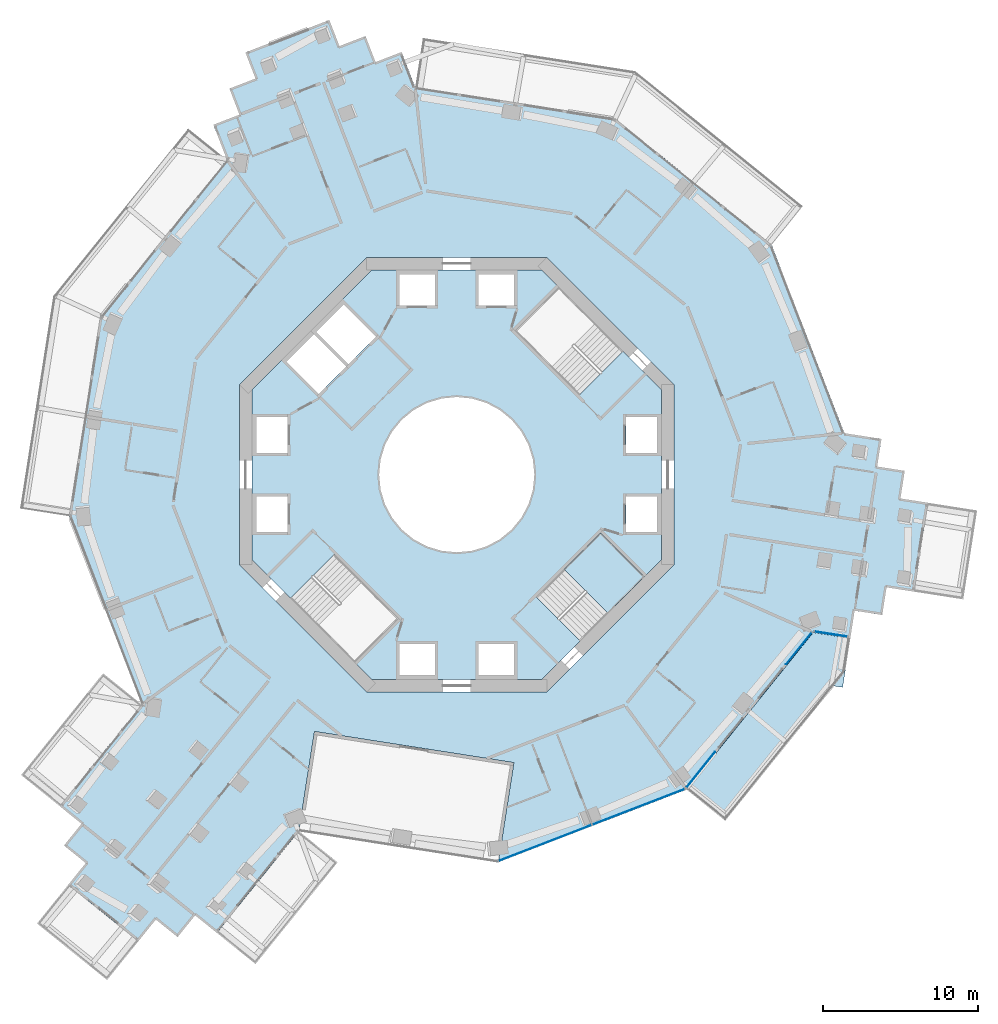
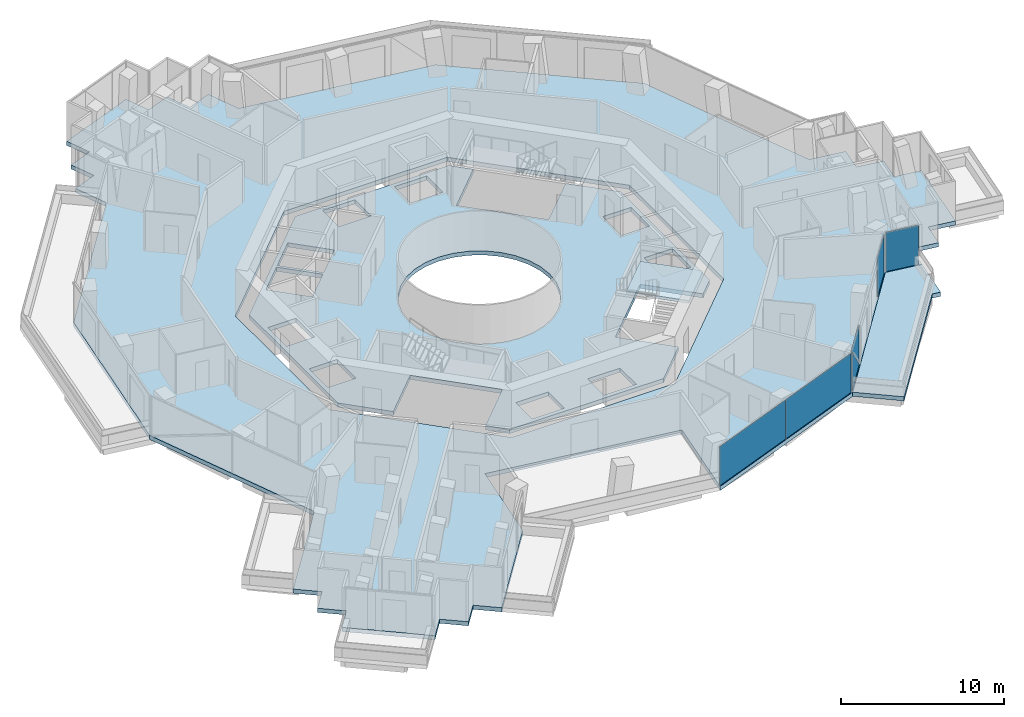
# One storey, part 11 of 23: 6 plates, 4 slabs, 4 elements without a shape of their own.
"""IFC4 building model written with IfcOpenShell, lengths in metres."""

from ifc_helpers import new_model, si_unit, direction, frame, origin, origin_2d, place, context, subcontext, project, spatial, polyline, rectangle, outline, extrude, material, layer, layer_set, type_object, element, aggregate, save


model = new_model("IFC4")

# Units and contexts
model_context = context("Model", 3, precision=1e-05, world=origin(), true_north=direction((0.0, 1.0)))
body_context = subcontext(model_context, "Body", "Model", "MODEL_VIEW")
ifc_project = project(units=[si_unit("LENGTHUNIT", "METRE"), si_unit("AREAUNIT", "SQUARE_METRE"), si_unit("VOLUMEUNIT", "CUBIC_METRE"), si_unit("PLANEANGLEUNIT", "RADIAN"), si_unit("MASSUNIT", "GRAM", prefix="KILO")], contexts=[model_context])

# Site, building, storey
site_placement = place(None, origin())
site = spatial("IfcSite", under=ifc_project, at=site_placement, CompositionType="ELEMENT")
building_placement = place(site_placement, origin())
building = spatial("IfcBuilding", under=site, at=building_placement, Name="Verdalira Terraces Hotel", CompositionType="ELEMENT")
storey_placement = place(building_placement, frame((0.0, 0.0, 118.5)))
storey = spatial("IfcBuildingStorey", under=building, at=storey_placement, Name="L28", CompositionType="ELEMENT", Elevation=118.5)

# Slab
ifc_material_1 = material(Name="Precast concrete C40/50", Category="concrete")
ifc_layer_1 = layer(ifc_material_1, 0.31005859375)
ifc_layer_set_1 = layer_set([ifc_layer_1], Name="Balcony deck 310")
slab_type_1 = type_object("IfcSlabType", Name="Balcony deck 310", PredefinedType="FLOOR", material=ifc_layer_set_1)
slab_1_placement = place(storey_placement, frame((0.0, 0.0, -0.310059)))
element("IfcSlab", 1, at=slab_1_placement, inside=storey, type_object=slab_type_1, Name="Balcony deck", PredefinedType="FLOOR", context=body_context, shape_type="SweptSolid", body=[
    extrude(outline(polyline([(24.859863, -13.70166), (25.35376, -10.540039), (22.964111, -10.166748), (14.804199, -20.286865), (17.295166, -22.29541), (24.295654, -13.613525), (24.859863, -13.70166)])), origin(), (0.0, 0.0, 1.0), 0.310059),
])

# Curtain wall, plates
ifc_material_2 = material(Name="Clear glass", Category="glass")
ifc_layer_2 = layer(ifc_material_2, 0.14990234375)
ifc_layer_set_2 = layer_set([ifc_layer_2], Name="CW1 curtain wall")
curtain_wall_type_1 = type_object("IfcCurtainWallType", Name="CW1 curtain wall", PredefinedType="NOTDEFINED", material=ifc_layer_set_2)
curtain_wall_1_placement = place(storey_placement, origin())
curtain_wall_1 = element("IfcCurtainWall", 2, at=curtain_wall_1_placement, inside=storey, type_object=curtain_wall_type_1, Name="CW1 curtain wall L28 edge 26", PredefinedType="NOTDEFINED")
ifc_material_3 = material(Name="Clear glass", Category="glass")
ifc_layer_3 = layer(ifc_material_3, 0.028076171875)
ifc_layer_set_3 = layer_set([ifc_layer_3], Name="CW1 glass unit 28")
plate_type_1 = type_object("IfcPlateType", Name="CW1 glass unit 28", PredefinedType="CURTAIN_PANEL", material=ifc_layer_set_3)
plate_1_placement = place(storey_placement, frame((5.696045, -23.724609, 0.0), z_axis=(0.0, 0.0, 1.0), x_axis=(0.932827815, 0.360322448, 0.0)))
plate_1 = element("IfcPlate", 3, at=plate_1_placement, type_object=plate_type_1, Name="CW1 glass unit", PredefinedType="CURTAIN_PANEL", context=body_context, shape_type="SweptSolid", body=[
    extrude(rectangle(XDim=6.409912, YDim=0.028076, at=origin_2d()), origin(), (0.0, 0.0, 1.0), 2.935059),
])
plate_2_placement = place(storey_placement, frame((11.712646, -21.400391, 0.0), z_axis=(0.0, 0.0, 1.0), x_axis=(0.932827815, 0.360322448, 0.0)))
plate_2 = element("IfcPlate", 4, at=plate_2_placement, type_object=plate_type_1, Name="CW1 glass unit", PredefinedType="CURTAIN_PANEL", context=body_context, shape_type="SweptSolid", body=[
    extrude(rectangle(XDim=6.369873, YDim=0.028076, at=origin_2d()), origin(), (0.0, 0.0, 1.0), 2.935059),
])
aggregate(curtain_wall_1, [plate_1, plate_2])

curtain_wall_2_placement = place(storey_placement, origin())
curtain_wall_2 = element("IfcCurtainWall", 5, at=curtain_wall_2_placement, inside=storey, type_object=curtain_wall_type_1, Name="CW1 curtain wall L28 edge 27", PredefinedType="NOTDEFINED")
plate_3_placement = place(storey_placement, frame((15.715576, -19.014404, 1.467529), z_axis=(0.778462302, -0.627691361, 0.0), x_axis=(0.627691361, 0.778462302, 0.0)))
plate_3 = element("IfcPlate", 6, at=plate_3_placement, type_object=plate_type_1, Name="CW1 glass unit", PredefinedType="CURTAIN_PANEL", context=body_context, shape_type="SweptSolid", body=[
    extrude(outline(polyline([(-1.462402, -1.467529), (1.462402, -1.467529), (-1.462402, 1.467529), (-1.462402, -1.467529)])), origin(), (0.0, 0.0, 1.0), 0.028076),
])
plate_4_placement = place(storey_placement, frame((15.693115, -18.996094, 1.467529), z_axis=(0.778462302, -0.627691361, 0.0), x_axis=(0.627691361, 0.778462302, 0.0)))
plate_4 = element("IfcPlate", 7, at=plate_4_placement, type_object=plate_type_1, Name="CW1 glass unit", PredefinedType="CURTAIN_PANEL", context=body_context, shape_type="SweptSolid", body=[
    extrude(outline(polyline([(1.462402, -1.467529), (1.462402, 1.467529), (-1.462402, 1.467529), (1.462402, -1.467529)])), origin(), (0.0, 0.0, 1.0), 0.028076),
])
plate_5_placement = place(storey_placement, frame((22.043945, -11.188477, 0.0), z_axis=(0.0, 0.0, 1.0), x_axis=(0.627691361, 0.778462302, 0.0)))
plate_5 = element("IfcPlate", 8, at=plate_5_placement, type_object=plate_type_1, Name="CW1 glass unit", PredefinedType="CURTAIN_PANEL", context=body_context, shape_type="SweptSolid", body=[
    extrude(rectangle(XDim=2.625977, YDim=0.028076, at=origin_2d()), origin(), (0.0, 0.0, 1.0), 2.935059),
])
aggregate(curtain_wall_2, [plate_3, plate_4, plate_5])

# Curtain wall, plate
ifc_material_4 = material(Name="Clear glass", Category="glass")
ifc_layer_4 = layer(ifc_material_4, 0.14990234375)
ifc_layer_set_4 = layer_set([ifc_layer_4], Name="CW2 curtain wall")
curtain_wall_type_2 = type_object("IfcCurtainWallType", Name="CW2 curtain wall", PredefinedType="NOTDEFINED", material=ifc_layer_set_4)
curtain_wall_3_placement = place(storey_placement, origin())
curtain_wall_3 = element("IfcCurtainWall", 9, at=curtain_wall_3_placement, inside=storey, type_object=curtain_wall_type_2, Name="CW2 curtain wall L28 edge 28", PredefinedType="NOTDEFINED")
ifc_material_5 = material(Name="Clear glass", Category="glass")
ifc_layer_5 = layer(ifc_material_5, 0.031982421875)
ifc_layer_set_5 = layer_set([ifc_layer_5], Name="CW2 glass unit 32")
plate_type_2 = type_object("IfcPlateType", Name="CW2 glass unit 32", PredefinedType="CURTAIN_PANEL", material=ifc_layer_set_5)
plate_6_placement = place(storey_placement, frame((24.096436, -10.267822, 0.0), z_axis=(0.0, 0.0, 1.0), x_axis=(0.98801381, -0.154365514, 0.0)))
plate_6 = element("IfcPlate", 10, at=plate_6_placement, type_object=plate_type_2, Name="CW2 glass unit", PredefinedType="CURTAIN_PANEL", context=body_context, shape_type="SweptSolid", body=[
    extrude(rectangle(XDim=2.128418, YDim=0.031982, at=origin_2d()), origin(), (0.0, 0.0, 1.0), 2.935059),
])
aggregate(curtain_wall_3, [plate_6])

# Slab
ifc_material_6 = material(Name="Concrete C40", Category="concrete")
ifc_layer_6 = layer(ifc_material_6, 0.31005859375)
ifc_layer_set_6 = layer_set([ifc_layer_6], Name="Core floor slab 310 mm")
slab_type_2 = type_object("IfcSlabType", Name="Core floor slab 310 mm", PredefinedType="FLOOR", material=ifc_layer_set_6)
slab_2_placement = place(storey_placement, frame((0.0, 0.0, -0.310059)))
element("IfcSlab", 11, at=slab_2_placement, inside=storey, type_object=slab_type_2, Name="L28 core floor", PredefinedType="FLOOR", context=body_context, shape_type="SweptSolid", body=[
    extrude(outline(polyline([(-5.467529, 13.199951), (5.467529, 13.199951), (6.562012, 12.105713), (3.719482, 9.263184), (7.869629, 5.112793), (10.712402, 7.955322), (13.199951, 5.467529), (13.199951, -5.467529), (12.105713, -6.562012), (9.263184, -3.719482), (5.112793, -7.869629), (7.955322, -10.712402), (5.467529, -13.199951), (-5.467529, -13.199951), (-6.562012, -12.105713), (-3.719482, -9.263184), (-7.869629, -5.112793), (-10.712402, -7.955322), (-13.199951, -5.467529), (-13.199951, 5.467529), (-5.467529, 13.199951)]), holes=[polyline([(12.899902, -3.699951), (12.899902, -1.399902), (10.899902, -1.399902), (10.899902, -3.699951), (12.899902, -3.699951)]), polyline([(12.899902, 1.399902), (12.899902, 3.699951), (10.899902, 3.699951), (10.899902, 1.399902), (12.899902, 1.399902)]), polyline([(1.399902, 10.899902), (3.699951, 10.899902), (3.699951, 12.899902), (1.399902, 12.899902), (1.399902, 10.899902)]), polyline([(-3.699951, 10.899902), (-1.399902, 10.899902), (-1.399902, 12.899902), (-3.699951, 12.899902), (-3.699951, 10.899902)]), polyline([(-12.899902, 3.699951), (-12.899902, 1.399902), (-10.899902, 1.399902), (-10.899902, 3.699951), (-12.899902, 3.699951)]), polyline([(-12.899902, -1.399902), (-12.899902, -3.699951), (-10.899902, -3.699951), (-10.899902, -1.399902), (-12.899902, -1.399902)]), polyline([(-1.399902, -10.899902), (-3.699951, -10.899902), (-3.699951, -12.899902), (-1.399902, -12.899902), (-1.399902, -10.899902)]), polyline([(3.699951, -10.899902), (1.399902, -10.899902), (1.399902, -12.899902), (3.699951, -12.899902), (3.699951, -10.899902)]), polyline([(-9.051025, 9.192383), (-6.965088, 7.106445), (-5.197266, 8.874268), (-7.283203, 10.960205), (-9.051025, 9.192383)]), polyline([(-9.192383, 9.051025), (-10.960205, 7.283203), (-8.874268, 5.197266), (-7.106445, 6.965088), (-9.192383, 9.051025)]), polyline([(3.5354, 3.5354), (2.777832, 4.157227), (1.91333, 4.619385), (0.975586, 4.903809), (0.0, 5.0), (-0.975586, 4.903809), (-1.91333, 4.619385), (-2.777832, 4.157227), (-3.5354, 3.5354), (-4.157227, 2.777832), (-4.619385, 1.91333), (-4.903809, 0.975586), (-5.0, 0.0), (-4.903809, -0.975586), (-4.619385, -1.91333), (-4.157227, -2.777832), (-3.5354, -3.5354), (-2.777832, -4.157227), (-1.91333, -4.619385), (-0.975586, -4.903809), (0.0, -5.0), (0.975586, -4.903809), (1.91333, -4.619385), (2.777832, -4.157227), (3.5354, -3.5354), (4.157227, -2.777832), (4.619385, -1.91333), (4.903809, -0.975586), (5.0, 0.0), (4.903809, 0.975586), (4.619385, 1.91333), (4.157227, 2.777832), (3.5354, 3.5354)])]), origin(), (0.0, 0.0, 1.0), 0.310059),
])

# Stair, slab
ifc_material_7 = material(Name="Concrete C40", Category="concrete")
stair_type = type_object("IfcStairType", Name="Core stair 20 risers 1950 mm wide", PredefinedType="HALF_TURN_STAIR", material=ifc_material_7)
stair_placement = place(storey_placement, origin())
stair = element("IfcStair", 12, at=stair_placement, inside=storey, type_object=stair_type, Name="L28 Exit stair ST3", PredefinedType="HALF_TURN_STAIR")
ifc_material_8 = material(Name="Concrete C40", Category="concrete")
ifc_layer_7 = layer(ifc_material_8, 0.199951171875)
ifc_layer_set_7 = layer_set([ifc_layer_7], Name="Core stair landing 200 mm")
slab_type_3 = type_object("IfcSlabType", Name="Core stair landing 200 mm", PredefinedType="LANDING", material=ifc_layer_set_7)
slab_3_placement = place(storey_placement, frame((0.0, 0.0, 1.550049)))
slab_3 = element("IfcSlab", 13, at=slab_3_placement, type_object=slab_type_3, Name="ST3 landing 1", PredefinedType="LANDING", context=body_context, shape_type="SweptSolid", body=[
    extrude(outline(polyline([(9.736572, -8.931152), (12.091553, -6.576172), (9.263184, -3.747559), (6.907959, -6.102783), (9.736572, -8.931152)])), origin(), (0.0, 0.0, 1.0), 0.199951),
])
aggregate(stair, [slab_3])

# Slab
ifc_material_9 = material(Name="Concrete C40", Category="concrete")
ifc_layer_8 = layer(ifc_material_9, 0.31005859375)
ifc_layer_set_8 = layer_set([ifc_layer_8], Name="Floor slab 310 C40")
slab_type_4 = type_object("IfcSlabType", Name="Floor slab 310 C40", PredefinedType="FLOOR", material=ifc_layer_set_8)
slab_4_placement = place(storey_placement, frame((0.0, 0.0, -0.310059)))
element("IfcSlab", 14, at=slab_4_placement, inside=storey, type_object=slab_type_4, Name="Floor slab L28", PredefinedType="FLOOR", context=body_context, shape_type="SweptSolid", body=[
    extrude(outline(polyline([(-16.852295, -28.387939), (-15.450928, -29.517578), (-10.166992, -22.9646), (-10.167236, -22.9646), (-9.163818, -16.541504), (3.681396, -18.54834), (2.677979, -24.970703), (14.804199, -20.286621), (22.964111, -10.166748), (25.35376, -10.540039), (25.631592, -8.761719), (27.409912, -9.039551), (27.687988, -7.260986), (29.466309, -7.538818), (30.361572, -1.808594), (28.583252, -1.530518), (28.861084, 0.247803), (27.08252, 0.525635), (27.360596, 2.304199), (24.970947, 2.67749), (20.286621, 14.804199), (10.166748, 22.964111), (-2.67749, 24.970947), (-3.548828, 27.227051), (-5.228027, 26.578369), (-5.876709, 28.257568), (-7.555664, 27.608887), (-8.204102, 29.288086), (-13.614502, 27.198242), (-12.966064, 25.519043), (-14.64502, 24.870605), (-13.996582, 23.191406), (-15.675781, 22.542725), (-14.804199, 20.286621), (-22.964111, 10.166748), (-24.970947, -2.67749), (-20.286621, -14.804199), (-25.571045, -21.357666), (-24.169922, -22.487549), (-25.299561, -23.888916), (-23.898438, -25.018555), (-25.02832, -26.419922), (-20.513184, -30.060547), (-19.383301, -28.65918), (-17.982178, -29.789062), (-16.852295, -28.387939)]), holes=[polyline([(5.799072, 14.0), (14.0, 5.799072), (14.0, -5.799072), (5.799072, -14.0), (-5.799072, -14.0), (-14.0, -5.799072), (-14.0, 5.799072), (-5.799072, 14.0), (5.799072, 14.0)])]), origin(), (0.0, 0.0, 1.0), 0.310059),
])

save(model, "model.ifc")
